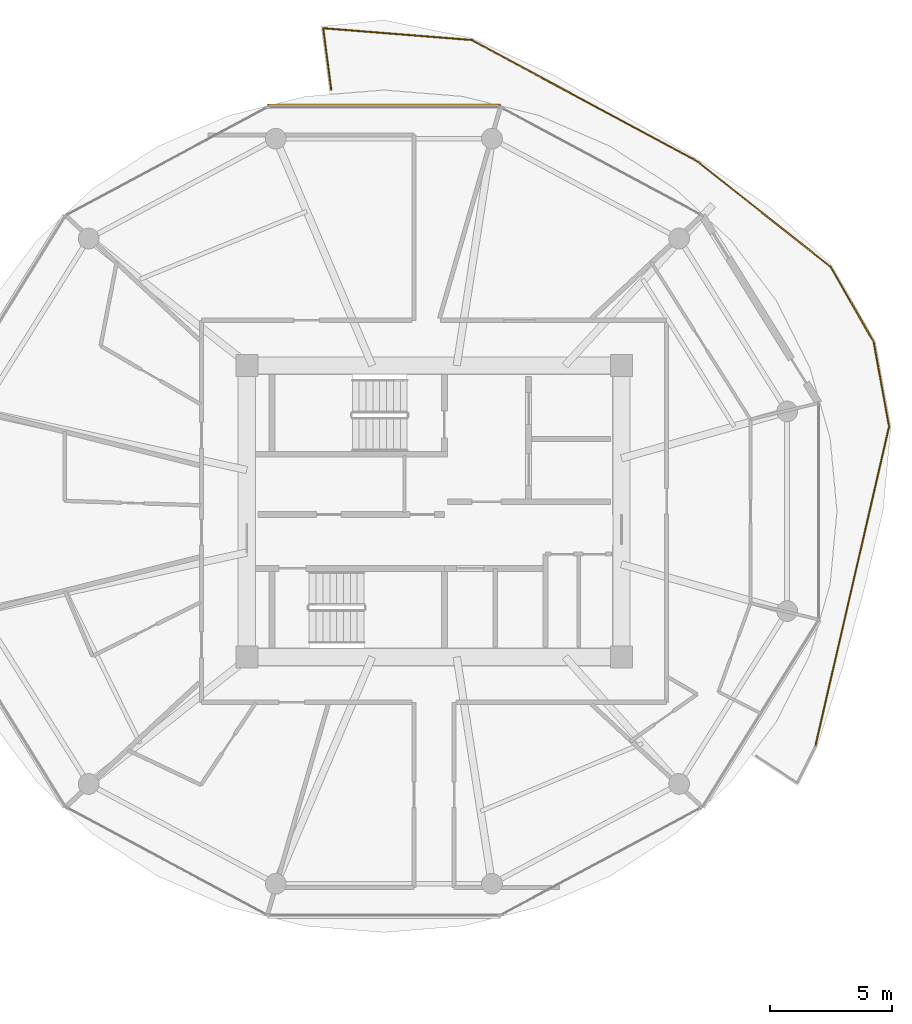
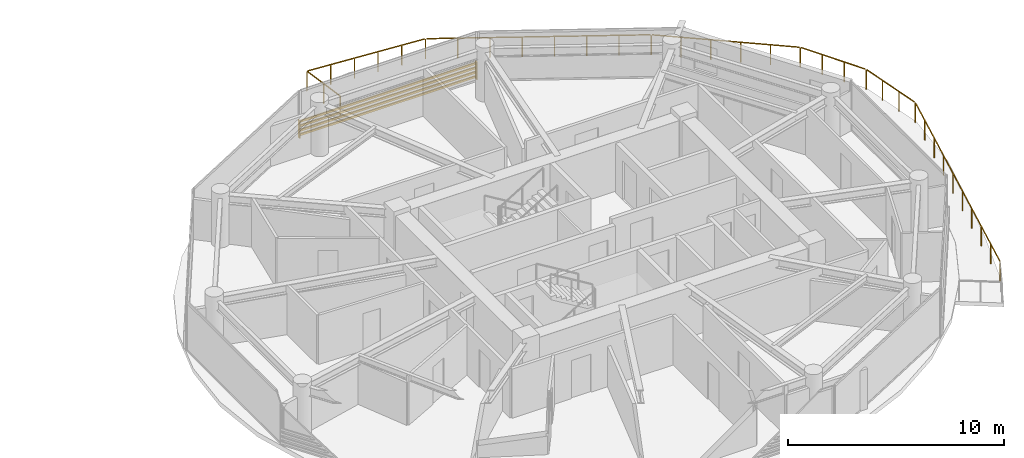
# One storey, part 24 of 24: 1 railing, 1 shading device.
"""IFC4 building model written with IfcOpenShell, lengths in metres."""

from ifc_helpers import new_model, si_unit, direction, frame, origin, origin_2d, place, context, subcontext, project, spatial, rectangle, extrude, source, transform, mapped, material, type_object, type_shapes, element, save


model = new_model("IFC4")

# Units and contexts
model_context = context("Model", 3, precision=1e-05, world=origin(), true_north=direction((0.0, 1.0)))
body_context = subcontext(model_context, "Body", "Model", "MODEL_VIEW")
ifc_project = project(units=[si_unit("LENGTHUNIT", "METRE"), si_unit("AREAUNIT", "SQUARE_METRE"), si_unit("VOLUMEUNIT", "CUBIC_METRE"), si_unit("PLANEANGLEUNIT", "RADIAN"), si_unit("MASSUNIT", "GRAM", prefix="KILO")], contexts=[model_context])

# Site, building, storey
site_placement = place(None, origin())
site = spatial("IfcSite", under=ifc_project, at=site_placement, CompositionType="ELEMENT")
building_placement = place(site_placement, origin())
building = spatial("IfcBuilding", under=site, at=building_placement, Name="Norrkilde Senior Care Towers", CompositionType="ELEMENT")
storey_placement = place(building_placement, frame((0.0, 0.0, 105.39990234375)))
storey = spatial("IfcBuildingStorey", under=building, at=storey_placement, Name="L32", CompositionType="ELEMENT", Elevation=105.39990234375)

# Railing
ifc_material_1 = material(Name="Anodised Aluminium", Category="aluminium")
railing_type = type_object("IfcRailingType", Name="Balcony Swirl Ribbon Guardrail 1150", PredefinedType="GUARDRAIL", material=ifc_material_1)
railing_placement = place(storey_placement, frame((23.7998046875, 17.20556640625, 0.0)))
element("IfcRailing", 1, at=railing_placement, inside=storey, type_object=railing_type, Name="L32 Perimeter Safety Guard 02", PredefinedType="GUARDRAIL", context=body_context, shape_type="SweptSolid", body=[
    extrude(rectangle(XDim=0.048095703125, YDim=0.048095703125, at=origin_2d()), frame((0.0, 0.0, 1.1259765625), z_axis=(-0.128620507019, 0.991693886829, 0.0), x_axis=(-0.991693886829, -0.128620507019, 0.0)), (0.0, 0.0, 1.0), 2.500732421875),
    extrude(rectangle(XDim=0.048095703125, YDim=0.048095703125, at=origin_2d()), frame((-0.2861328125, 2.517333984375, 1.1259765625), z_axis=(0.996866952138, -0.079096648059, 0.0), x_axis=(0.079096648059, 0.996866952138, 0.0)), (0.0, 0.0, 1.0), 5.99267578125),
    extrude(rectangle(XDim=0.048095703125, YDim=0.048095703125, at=origin_2d()), frame((5.7646484375, 2.020751953125, 1.1259765625), z_axis=(0.880931461654, -0.47324386934, 0.0), x_axis=(0.47324386934, 0.880931461654, 0.0)), (0.0, 0.0, 1.0), 10.364501953125),
    extrude(rectangle(XDim=0.048095703125, YDim=0.048095703125, at=origin_2d()), frame((14.962890625, -2.928955078125, 1.1259765625), z_axis=(0.784366487637, -0.620297681014, 0.0), x_axis=(0.620297681014, 0.784366487637, 0.0)), (0.0, 0.0, 1.0), 6.89404296875),
    extrude(rectangle(XDim=0.048095703125, YDim=0.048095703125, at=origin_2d()), frame((20.4228515625, -7.26611328125, 1.1259765625), z_axis=(0.495572658722, -0.868566485611, 0.0), x_axis=(0.868566485611, 0.495572658722, 0.0)), (0.0, 0.0, 1.0), 3.447509765625),
    extrude(rectangle(XDim=0.048095703125, YDim=0.048095703125, at=origin_2d()), frame((22.158935546875, -10.33642578125, 1.1259765625), z_axis=(0.178952762412, -0.983857666955, 0.0), x_axis=(0.983857666955, 0.178952762412, 0.0)), (0.0, 0.0, 1.0), 3.428466796875),
    extrude(rectangle(XDim=0.048095703125, YDim=0.048095703125, at=origin_2d()), frame((22.7705078125, -13.78955078125, 1.1259765625), z_axis=(-0.224856846382, -0.97439180961, 0.0), x_axis=(0.97439180961, -0.224856846382, 0.0)), (0.0, 0.0, 1.0), 13.364013671875),
    extrude(rectangle(XDim=0.0419921875, YDim=0.0419921875, at=origin_2d()), origin(), (0.0, 0.0, 1.0), 1.099853515625),
    extrude(rectangle(XDim=0.0419921875, YDim=0.0419921875, at=origin_2d()), frame((-0.16357421875, 1.26025390625, 0.0)), (0.0, 0.0, 1.0), 1.099853515625),
    extrude(rectangle(XDim=0.0419921875, YDim=0.0419921875, at=origin_2d()), frame((-0.326904296875, 2.5205078125, 0.0)), (0.0, 0.0, 1.0), 1.099853515625),
    extrude(rectangle(XDim=0.0419921875, YDim=0.0419921875, at=origin_2d()), frame((0.88427734375, 2.42431640625, 0.0)), (0.0, 0.0, 1.0), 1.099853515625),
    extrude(rectangle(XDim=0.0419921875, YDim=0.0419921875, at=origin_2d()), frame((2.09521484375, 2.328369140625, 0.0)), (0.0, 0.0, 1.0), 1.099853515625),
    extrude(rectangle(XDim=0.0419921875, YDim=0.0419921875, at=origin_2d()), frame((3.306396484375, 2.232177734375, 0.0)), (0.0, 0.0, 1.0), 1.099853515625),
    extrude(rectangle(XDim=0.0419921875, YDim=0.0419921875, at=origin_2d()), frame((4.517333984375, 2.13623046875, 0.0)), (0.0, 0.0, 1.0), 1.099853515625),
    extrude(rectangle(XDim=0.0419921875, YDim=0.0419921875, at=origin_2d()), frame((5.728515625, 2.0400390625, 0.0)), (0.0, 0.0, 1.0), 1.099853515625),
    extrude(rectangle(XDim=0.0419921875, YDim=0.0419921875, at=origin_2d()), frame((7.043212890625, 1.333740234375, 0.0)), (0.0, 0.0, 1.0), 1.099853515625),
    extrude(rectangle(XDim=0.0419921875, YDim=0.0419921875, at=origin_2d()), frame((8.357666015625, 0.627685546875, 0.0)), (0.0, 0.0, 1.0), 1.099853515625),
    extrude(rectangle(XDim=0.0419921875, YDim=0.0419921875, at=origin_2d()), frame((9.67236328125, -0.07861328125, 0.0)), (0.0, 0.0, 1.0), 1.099853515625),
    extrude(rectangle(XDim=0.0419921875, YDim=0.0419921875, at=origin_2d()), frame((10.987060546875, -0.784912109375, 0.0)), (0.0, 0.0, 1.0), 1.099853515625),
    extrude(rectangle(XDim=0.0419921875, YDim=0.0419921875, at=origin_2d()), frame((12.3017578125, -1.4912109375, 0.0)), (0.0, 0.0, 1.0), 1.099853515625),
    extrude(rectangle(XDim=0.0419921875, YDim=0.0419921875, at=origin_2d()), frame((13.6162109375, -2.197265625, 0.0)), (0.0, 0.0, 1.0), 1.099853515625),
    extrude(rectangle(XDim=0.0419921875, YDim=0.0419921875, at=origin_2d()), frame((14.930908203125, -2.903564453125, 0.0)), (0.0, 0.0, 1.0), 1.099853515625),
    extrude(rectangle(XDim=0.0419921875, YDim=0.0419921875, at=origin_2d()), frame((16.025146484375, -3.76904296875, 0.0)), (0.0, 0.0, 1.0), 1.099853515625),
    extrude(rectangle(XDim=0.0419921875, YDim=0.0419921875, at=origin_2d()), frame((17.11962890625, -4.634521484375, 0.0)), (0.0, 0.0, 1.0), 1.099853515625),
    extrude(rectangle(XDim=0.0419921875, YDim=0.0419921875, at=origin_2d()), frame((18.2138671875, -5.499755859375, 0.0)), (0.0, 0.0, 1.0), 1.099853515625),
    extrude(rectangle(XDim=0.0419921875, YDim=0.0419921875, at=origin_2d()), frame((19.308349609375, -6.365234375, 0.0)), (0.0, 0.0, 1.0), 1.099853515625),
    extrude(rectangle(XDim=0.0419921875, YDim=0.0419921875, at=origin_2d()), frame((20.402587890625, -7.230712890625, 0.0)), (0.0, 0.0, 1.0), 1.099853515625),
    extrude(rectangle(XDim=0.0419921875, YDim=0.0419921875, at=origin_2d()), frame((20.985595703125, -8.25244140625, 0.0)), (0.0, 0.0, 1.0), 1.099853515625),
    extrude(rectangle(XDim=0.0419921875, YDim=0.0419921875, at=origin_2d()), frame((21.568603515625, -9.2744140625, 0.0)), (0.0, 0.0, 1.0), 1.099853515625),
    extrude(rectangle(XDim=0.0419921875, YDim=0.0419921875, at=origin_2d()), frame((22.151611328125, -10.296142578125, 0.0)), (0.0, 0.0, 1.0), 1.099853515625),
    extrude(rectangle(XDim=0.0419921875, YDim=0.0419921875, at=origin_2d()), frame((22.361083984375, -11.447265625, 0.0)), (0.0, 0.0, 1.0), 1.099853515625),
    extrude(rectangle(XDim=0.0419921875, YDim=0.0419921875, at=origin_2d()), frame((22.5703125, -12.5986328125, 0.0)), (0.0, 0.0, 1.0), 1.099853515625),
    extrude(rectangle(XDim=0.0419921875, YDim=0.0419921875, at=origin_2d()), frame((22.77978515625, -13.749755859375, 0.0)), (0.0, 0.0, 1.0), 1.099853515625),
    extrude(rectangle(XDim=0.0419921875, YDim=0.0419921875, at=origin_2d()), frame((22.44482421875, -15.200927734375, 0.0)), (0.0, 0.0, 1.0), 1.099853515625),
    extrude(rectangle(XDim=0.0419921875, YDim=0.0419921875, at=origin_2d()), frame((22.10986328125, -16.65234375, 0.0)), (0.0, 0.0, 1.0), 1.099853515625),
    extrude(rectangle(XDim=0.0419921875, YDim=0.0419921875, at=origin_2d()), frame((21.775146484375, -18.103515625, 0.0)), (0.0, 0.0, 1.0), 1.099853515625),
    extrude(rectangle(XDim=0.0419921875, YDim=0.0419921875, at=origin_2d()), frame((21.440185546875, -19.554931640625, 0.0)), (0.0, 0.0, 1.0), 1.099853515625),
    extrude(rectangle(XDim=0.0419921875, YDim=0.0419921875, at=origin_2d()), frame((21.105224609375, -21.006103515625, 0.0)), (0.0, 0.0, 1.0), 1.099853515625),
    extrude(rectangle(XDim=0.0419921875, YDim=0.0419921875, at=origin_2d()), frame((20.770263671875, -22.45751953125, 0.0)), (0.0, 0.0, 1.0), 1.099853515625),
    extrude(rectangle(XDim=0.0419921875, YDim=0.0419921875, at=origin_2d()), frame((20.435546875, -23.90869140625, 0.0)), (0.0, 0.0, 1.0), 1.099853515625),
    extrude(rectangle(XDim=0.0419921875, YDim=0.0419921875, at=origin_2d()), frame((20.1005859375, -25.360107421875, 0.0)), (0.0, 0.0, 1.0), 1.099853515625),
    extrude(rectangle(XDim=0.0419921875, YDim=0.0419921875, at=origin_2d()), frame((19.765625, -26.811279296875, 0.0)), (0.0, 0.0, 1.0), 1.099853515625),
])

# Shading device
ifc_material_2 = material(Name="Architectural Terracotta", Category="masonry")
shading_device_type = type_object("IfcShadingDeviceType", Name="Horizontal Terracotta Baguette Rack", PredefinedType="USERDEFINED", material=ifc_material_2)
shared_shape = source(origin(), body_context, "Body", "SweptSolid", [
    extrude(rectangle(XDim=0.070068359375, YDim=0.110107421875, at=origin_2d()), frame((0.0, 0.090087890625, 0.125), z_axis=(1.0, 0.0, 0.0), x_axis=(0.0, 1.0, 0.0)), (0.0, 0.0, 1.0), 9.51416015625),
    extrude(rectangle(XDim=0.070068359375, YDim=0.110107421875, at=origin_2d()), frame((0.0, 0.090087890625, 0.375), z_axis=(1.0, 0.0, 0.0), x_axis=(0.0, 1.0, 0.0)), (0.0, 0.0, 1.0), 9.51416015625),
    extrude(rectangle(XDim=0.070068359375, YDim=0.110107421875, at=origin_2d()), frame((0.0, 0.090087890625, 0.625), z_axis=(1.0, 0.0, 0.0), x_axis=(0.0, 1.0, 0.0)), (0.0, 0.0, 1.0), 9.51416015625),
    extrude(rectangle(XDim=0.070068359375, YDim=0.110107421875, at=origin_2d()), frame((0.0, 0.090087890625, 0.875), z_axis=(1.0, 0.0, 0.0), x_axis=(0.0, 1.0, 0.0)), (0.0, 0.0, 1.0), 9.51416015625),
    extrude(rectangle(XDim=0.050048828125, YDim=0.1552734375, at=origin_2d()), frame((0.02490234375, 0.047607421875, 0.0)), (0.0, 0.0, 1.0), 1.0),
    extrude(rectangle(XDim=0.050048828125, YDim=0.1552734375, at=origin_2d()), frame((9.4892578125, 0.047607421875, 0.0)), (0.0, 0.0, 1.0), 1.0),
])
type_shapes(shading_device_type, [shared_shape])
shading_device_placement = place(storey_placement, frame((21.19287109375, 16.498046875, 0.080078125), z_axis=(0.0, 0.0, 1.0), x_axis=(1.0, 0.0, 0.0)))
element("IfcShadingDevice", 2, at=shading_device_placement, inside=storey, type_object=shading_device_type, Name="L32 Drum E Terracotta Baguette Screen 02", ObjectType="BAGUETTE", PredefinedType="USERDEFINED", context=body_context, shape_type="MappedRepresentation", body=[
    mapped(shared_shape, transform((0.0, 0.0, 0.0), x_axis=(1.0, 0.0, 0.0), y_axis=(0.0, 1.0, 0.0), z_axis=(0.0, 0.0, 1.0), scale=1.0)),
])

save(model, "model.ifc")
